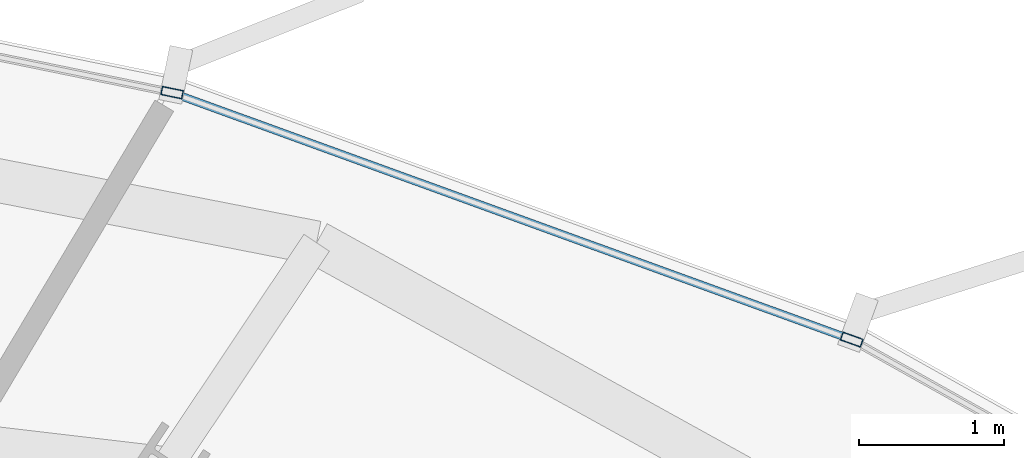
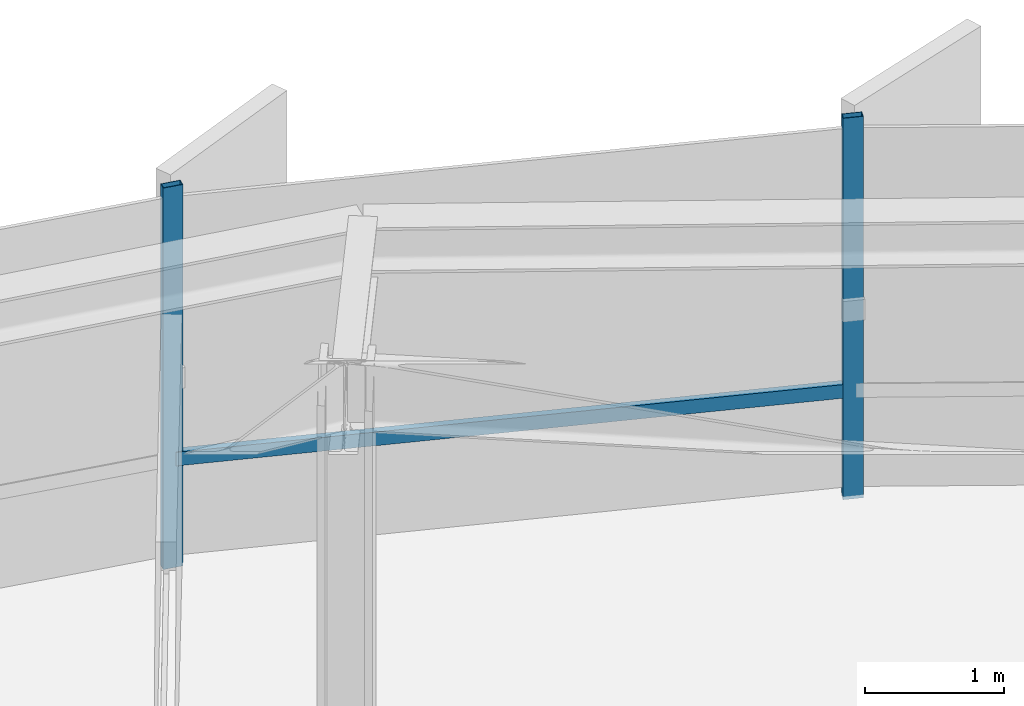
# One storey, part 24 of 35: 3 members, 1 element without a shape of its own.
"""IFC4 building model written with IfcOpenShell, lengths in metres."""

import ifcopenshell
import ifcopenshell.guid

model = None  # the IFC model being written
_history = None  # IfcOwnerHistory: only IFC2X3 demands one
_inside = {}  # id of a spatial element -> (the spatial element, [elements in it])
_under = {}  # id of a project, library or spatial element -> (it, [spatial elements below it])
_declared = {}  # id of a project -> (the project, [libraries it declares])
_typed = {}  # id of a type object -> (the type object, [elements of that type])
_made_of = {}  # id of a material, layer set ... -> (it, [elements and type objects made of it])


def new_model(schema):
    """Start an empty IFC model of exactly this schema.

    Asked for "IFC4X3", IfcOpenShell would pick the latest addendum, in which some entities
    have other attributes; the version numbers below select the first issue.
    IFC2X3 requires an IfcOwnerHistory on every rooted entity: one is made here for all.
    """
    global model, _history
    if schema == "IFC4X3":
        model = ifcopenshell.file(schema_version=(4, 3, 0, 0))
    else:
        model = ifcopenshell.file(schema=schema)
    _inside.clear()
    _under.clear()
    _declared.clear()
    _typed.clear()
    _made_of.clear()
    _history = None
    if model.schema == "IFC2X3":
        org = make("IfcOrganization", Name="unknown")
        user = make(
            "IfcPersonAndOrganization",
            ThePerson=make("IfcPerson", FamilyName="unknown"),
            TheOrganization=org,
        )
        app = make(
            "IfcApplication",
            ApplicationDeveloper=org,
            Version="unknown",
            ApplicationFullName="unknown",
            ApplicationIdentifier="unknown",
        )
        _history = make(
            "IfcOwnerHistory",
            OwningUser=user,
            OwningApplication=app,
            ChangeAction="ADDED",
            CreationDate=0,
        )
    return model


def make(cls, **values):
    """One entity of the class cls with the attributes given. An attribute that is None is left unset."""
    return model.create_entity(
        cls, **{name: value for name, value in values.items() if value is not None}
    )


def rooted(cls, **values):
    """An entity with a GlobalId (a new one), such as an element, a storey or a relation."""
    return make(cls, GlobalId=ifcopenshell.guid.new(), OwnerHistory=_history, **values)


def si_unit(unit_type, name, prefix=None):
    """IfcSIUnit, for example si_unit("LENGTHUNIT", "METRE", prefix="MILLI")."""
    return make("IfcSIUnit", UnitType=unit_type, Prefix=prefix, Name=name)


def assignment(units):
    """IfcUnitAssignment: the units of a project."""
    return None if units is None else make("IfcUnitAssignment", Units=units)


def point(xyz):
    """IfcCartesianPoint."""
    return None if xyz is None else make("IfcCartesianPoint", Coordinates=xyz)


def direction(xyz):
    """IfcDirection."""
    return None if xyz is None else make("IfcDirection", DirectionRatios=xyz)


def frame(location, z_axis=None, x_axis=None):
    """IfcAxis2Placement3D, a coordinate frame: its origin and axes. An axis left out is left unset."""
    return make(
        "IfcAxis2Placement3D",
        Location=point(location),
        Axis=direction(z_axis),
        RefDirection=direction(x_axis),
    )


def frame_2d(location, x_axis=None):
    """IfcAxis2Placement2D, a coordinate frame in the plane: its origin and x axis."""
    return make(
        "IfcAxis2Placement2D", Location=point(location), RefDirection=direction(x_axis)
    )


def origin():
    """The frame at (0, 0, 0) with its axes left unset."""
    return frame((0.0, 0.0, 0.0))


def origin_2d():
    """The frame at (0, 0) in the plane with its x axis left unset."""
    return frame_2d((0.0, 0.0))


def place(relative_to, where):
    """IfcLocalPlacement: puts the frame where relative to a parent placement (None: the world)."""
    return make(
        "IfcLocalPlacement", PlacementRelTo=relative_to, RelativePlacement=where
    )


def context(
    kind, dimensions, precision=None, world=None, true_north=None, identifier=None
):
    """IfcGeometricRepresentationContext, for example the 3D "Model" context."""
    return make(
        "IfcGeometricRepresentationContext",
        ContextIdentifier=identifier,
        ContextType=kind,
        CoordinateSpaceDimension=dimensions,
        Precision=precision,
        WorldCoordinateSystem=world,
        TrueNorth=true_north,
    )


def subcontext(parent, identifier, kind, view, scale=None):
    """IfcGeometricRepresentationSubContext, for example "Body" below "Model"."""
    return make(
        "IfcGeometricRepresentationSubContext",
        ContextIdentifier=identifier,
        ContextType=kind,
        ParentContext=parent,
        TargetScale=scale,
        TargetView=view,
    )


def project(units=None, contexts=None):
    """IfcProject with its units and contexts."""
    return rooted(
        "IfcProject",
        Name="project",
        RepresentationContexts=contexts,
        UnitsInContext=assignment(units),
    )


def spatial(cls, under=None, at=None, **own):
    """A site, building, storey or space (cls), placed at a placement, below another one or the project."""
    s = rooted(cls, ObjectPlacement=at, **own)
    if under is not None:
        _under.setdefault(under.id(), (under, []))[1].append(s)
    return s


def profile(cls, at=None, kind="AREA", **sizes):
    """A parametric profile (cls). Its sizes go by their IFC names, for example OverallWidth=200.0."""
    return make(cls, ProfileType=kind, Position=at, **sizes)


def hollow_rectangle(**sizes):
    """IfcRectangleHollowProfileDef."""
    return profile("IfcRectangleHollowProfileDef", **sizes)


def extrude(swept, where, along, depth):
    """IfcExtrudedAreaSolid: the profile swept, set in the frame where, extruded along a direction by depth."""
    return make(
        "IfcExtrudedAreaSolid",
        SweptArea=swept,
        Position=where,
        ExtrudedDirection=direction(along),
        Depth=depth,
    )


def shape(context_of_items, identifier, shape_type, items):
    """IfcShapeRepresentation: the items that make up one representation, for example the "Body"."""
    return make(
        "IfcShapeRepresentation",
        ContextOfItems=context_of_items,
        RepresentationIdentifier=identifier,
        RepresentationType=shape_type,
        Items=items,
    )


def source(mapping_origin, context_of_items, identifier, shape_type, items):
    """IfcRepresentationMap: a shape defined once, which mapped items show again and again."""
    return make(
        "IfcRepresentationMap",
        MappingOrigin=mapping_origin,
        MappedRepresentation=shape(context_of_items, identifier, shape_type, items),
    )


def transform(
    local_origin,
    x_axis=None,
    y_axis=None,
    z_axis=None,
    scale=None,
    scale2=None,
    scale3=None,
    uniform=True,
):
    """IfcCartesianTransformationOperator3D, or its non-uniform kind. x_axis, y_axis, z_axis: its Axis1, 2, 3."""
    if uniform:
        return make(
            "IfcCartesianTransformationOperator3D",
            Axis1=direction(x_axis),
            Axis2=direction(y_axis),
            LocalOrigin=point(local_origin),
            Scale=scale,
            Axis3=direction(z_axis),
        )
    return make(
        "IfcCartesianTransformationOperator3DnonUniform",
        Axis1=direction(x_axis),
        Axis2=direction(y_axis),
        LocalOrigin=point(local_origin),
        Scale=scale,
        Axis3=direction(z_axis),
        Scale2=scale2,
        Scale3=scale3,
    )


def mapped(mapping_source, mapping_target):
    """IfcMappedItem: shows the shape of a source again, moved by a transform."""
    return make(
        "IfcMappedItem", MappingSource=mapping_source, MappingTarget=mapping_target
    )


def material(Name=None, Category=None):
    """IfcMaterial."""
    return make("IfcMaterial", Name=Name, Category=Category)


def layer(
    of_material, thickness, ventilated=None, Name=None, Category=None, Priority=None
):
    """IfcMaterialLayer: one layer of a wall or slab, of a material (None: an air gap)."""
    return make(
        "IfcMaterialLayer",
        Material=of_material,
        LayerThickness=thickness,
        IsVentilated=ventilated,
        Name=Name,
        Category=Category,
        Priority=Priority,
    )


def layer_set(layers, Name=None):
    """IfcMaterialLayerSet."""
    return make("IfcMaterialLayerSet", MaterialLayers=layers, LayerSetName=Name)


def material_profile(
    of_material, cross_section, Name=None, Category=None, Priority=None
):
    """IfcMaterialProfile: a cross section and its material."""
    return make(
        "IfcMaterialProfile",
        Name=Name,
        Material=of_material,
        Profile=cross_section,
        Priority=Priority,
        Category=Category,
    )


def profile_set(profiles, Name=None, composite=None):
    """IfcMaterialProfileSet."""
    return make(
        "IfcMaterialProfileSet",
        Name=Name,
        MaterialProfiles=profiles,
        CompositeProfile=composite,
    )


def made_of(thing, what):
    """Note that an element or type object is made of a material, layer set ...; save() writes the relation."""
    if what is not None:
        _made_of.setdefault(what.id(), (what, []))[1].append(thing)
    return thing


def type_object(cls, material=None, **own):
    """A type object (cls), such as IfcWallType, which elements share."""
    return made_of(rooted(cls, **own), material)


def element(
    cls,
    number,
    at=None,
    inside=None,
    cuts=None,
    type_object=None,
    material=None,
    context=None,
    identifier="Body",
    shape_type=None,
    held_by="IfcProductDefinitionShape",
    body=None,
    shapes=None,
    **own,
):
    """One element of the class cls, such as IfcWall. Its Tag is "e" and its number.

    at: its placement. inside: the storey or other place that contains it. cuts: it is an
    opening in that element (IfcRelVoidsElement). A single representation is given by context,
    identifier, shape_type and body (its items); several are given by shapes. held_by: the class
    of the entity that holds the representations. save() writes the other relations.
    """
    e = rooted(cls, Tag="e%d" % number, ObjectPlacement=at, **own)
    if body is not None:
        shapes = [shape(context, identifier, shape_type, body)]
    if shapes is not None:
        e.Representation = make(held_by, Representations=shapes)
    if inside is not None:
        _inside.setdefault(inside.id(), (inside, []))[1].append(e)
    if cuts is not None:
        rooted(
            "IfcRelVoidsElement", RelatingBuildingElement=cuts, RelatedOpeningElement=e
        )
    if type_object is not None:
        _typed.setdefault(type_object.id(), (type_object, []))[1].append(e)
    return made_of(e, material)


def aggregate(whole, parts):
    """IfcRelAggregates: a whole, such as a stair, and the parts it consists of."""
    return rooted("IfcRelAggregates", RelatingObject=whole, RelatedObjects=parts)


def save(model, path):
    """Write the relations noted so far, then the file.

    IfcRelAggregates (storeys below a building ...), IfcRelContainedInSpatialStructure (elements
    in a storey), IfcRelDefinesByType, IfcRelAssociatesMaterial and IfcRelDeclares: one each for
    every whole, place, type object, material and project.
    """
    for whole, parts in _under.values():
        aggregate(whole, parts)
    for where, things in _inside.values():
        rooted(
            "IfcRelContainedInSpatialStructure",
            RelatedElements=things,
            RelatingStructure=where,
        )
    for kind, things in _typed.values():
        rooted("IfcRelDefinesByType", RelatedObjects=things, RelatingType=kind)
    for what, things in _made_of.values():
        rooted("IfcRelAssociatesMaterial", RelatedObjects=things, RelatingMaterial=what)
    for by, libraries in _declared.values():
        rooted("IfcRelDeclares", RelatingContext=by, RelatedDefinitions=libraries)
    model.write(path)


model = new_model("IFC4")

# Units and contexts
model_context = context("Model", 3, precision=1e-05, world=origin(), true_north=direction((0.0, 1.0)))
body_context = subcontext(model_context, "Body", "Model", "MODEL_VIEW")
ifc_project = project(units=[si_unit("LENGTHUNIT", "METRE"), si_unit("AREAUNIT", "SQUARE_METRE"), si_unit("VOLUMEUNIT", "CUBIC_METRE"), si_unit("PLANEANGLEUNIT", "RADIAN"), si_unit("MASSUNIT", "GRAM", prefix="KILO"), si_unit("THERMODYNAMICTEMPERATUREUNIT", "KELVIN")], contexts=[model_context])

# Site, building, storey
site_placement = place(None, origin())
site = spatial("IfcSite", under=ifc_project, at=site_placement, CompositionType="ELEMENT")
building_placement = place(site_placement, origin())
building = spatial("IfcBuilding", under=site, at=building_placement, Name="Kethvar Cultural Tower", CompositionType="ELEMENT")
storey_placement = place(building_placement, frame((0.0, 0.0, 100.0)))
storey = spatial("IfcBuildingStorey", under=building, at=storey_placement, Name="L24", CompositionType="ELEMENT", Elevation=100.0)

# Curtain wall, members
ifc_material = material(Name="Aluminium 6063-T6", Category="aluminium")
ifc_layer = layer(ifc_material, 0.179931640625, Name="Aluminium 6063-T6", Category="aluminium")
ifc_layer_set = layer_set([ifc_layer], Name="Aluminium 6063-T6 (180 mm)")
curtain_wall_type = type_object("IfcCurtainWallType", Name="CW-SYS-03-Z2", PredefinedType="NOTDEFINED", material=ifc_layer_set)
curtain_wall_placement = place(storey_placement, origin())
curtain_wall = element("IfcCurtainWall", 1, at=curtain_wall_placement, inside=storey, type_object=curtain_wall_type, Name="L24 Curtain Wall Run 01", PredefinedType="NOTDEFINED")
ifc_material_profile_1 = material_profile(ifc_material, hollow_rectangle(XDim=0.06005859375, YDim=0.14990234375, WallThickness=0.0048828125, at=origin_2d()), Name="Aluminium 6063-T6 — RHS150x60x5")
ifc_profile_set_1 = profile_set([ifc_material_profile_1], Name="Aluminium 6063-T6 — RHS150x60x5")
member_type_1 = type_object("IfcMemberType", Name="CW-SYS-03-Z2-MUL", PredefinedType="MULLION", material=ifc_profile_set_1)
shared_shape_1 = source(origin(), body_context, "Body", "SweptSolid", [
    extrude(hollow_rectangle(XDim=0.06005859375, YDim=0.14990234375, WallThickness=0.0048828125, at=origin_2d()), origin(), (0.0, 0.0, 1.0), 3.35009765625),
])
member_1_placement = place(storey_placement, frame((65.093994140625, 49.005615234375, 0.0), z_axis=(0.0, 0.0, 1.0), x_axis=(-0.341298410417, -0.939954996288, 0.0)))
member_1 = element("IfcMember", 2, at=member_1_placement, type_object=member_type_1, Name="CW-L24-R01 Mullion 5", PredefinedType="MULLION", context=body_context, shape_type="MappedRepresentation", body=[
    mapped(shared_shape_1, transform((0.0, 0.0, 0.0), scale=1.0)),
])
member_2_placement = place(storey_placement, frame((60.420166015625, 50.7041015625, 0.0), z_axis=(0.0, 0.0, 1.0), x_axis=(-0.200924047346, -0.97960682276, 0.0)))
member_2 = element("IfcMember", 3, at=member_2_placement, type_object=member_type_1, Name="CW-L24-R01 Mullion 6", PredefinedType="MULLION", context=body_context, shape_type="MappedRepresentation", body=[
    mapped(shared_shape_1, transform((0.0, 0.0, 0.0), scale=1.0)),
])
ifc_material_profile_2 = material_profile(ifc_material, hollow_rectangle(XDim=0.054931640625, YDim=0.1201171875, WallThickness=0.00390625, at=origin_2d()), Name="Aluminium 6063-T6 — RHS120x55x4")
ifc_profile_set_2 = profile_set([ifc_material_profile_2], Name="Aluminium 6063-T6 — RHS120x55x4")
member_type_2 = type_object("IfcMemberType", Name="CW-SYS-03-Z2-TRN", PredefinedType="USERDEFINED", material=ifc_profile_set_2)
shared_shape_2 = source(origin(), body_context, "Body", "SweptSolid", [
    extrude(hollow_rectangle(XDim=0.054931640625, YDim=0.1201171875, WallThickness=0.00390625, at=origin_2d()), origin(), (0.0, 0.0, 1.0), 4.9033203125),
])
member_3_placement = place(storey_placement, frame((65.053466796875, 49.0205078125, 0.949951171875), z_axis=(-0.939948876651, 0.34131526377, 0.0), x_axis=(-0.34131526377, -0.939948876651, 0.0)))
member_3 = element("IfcMember", 4, at=member_3_placement, type_object=member_type_2, Name="CW-L24-R01 Transom 5", ObjectType="TRANSOM", PredefinedType="USERDEFINED", context=body_context, shape_type="MappedRepresentation", body=[
    mapped(shared_shape_2, transform((0.0, 0.0, 0.0), scale=1.0)),
])
aggregate(curtain_wall, [member_1, member_2, member_3])

save(model, "model.ifc")
